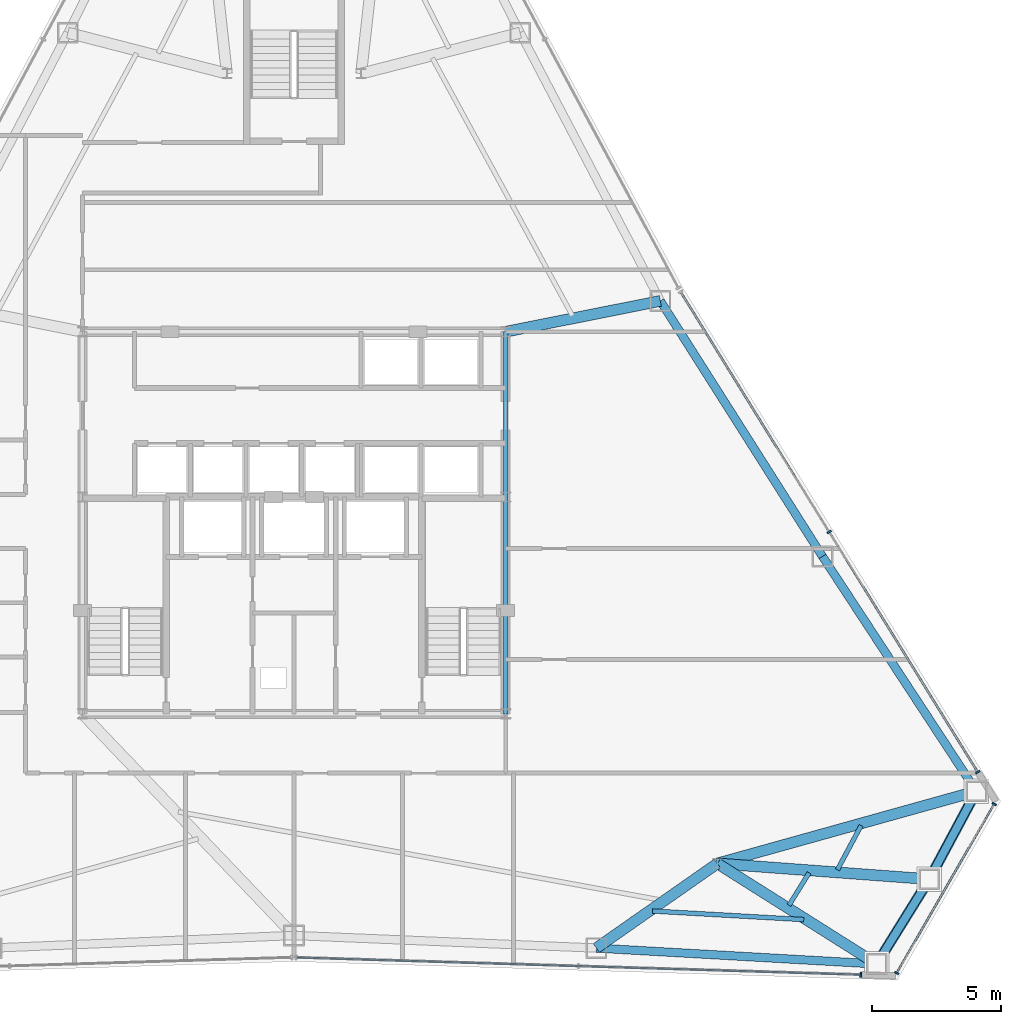
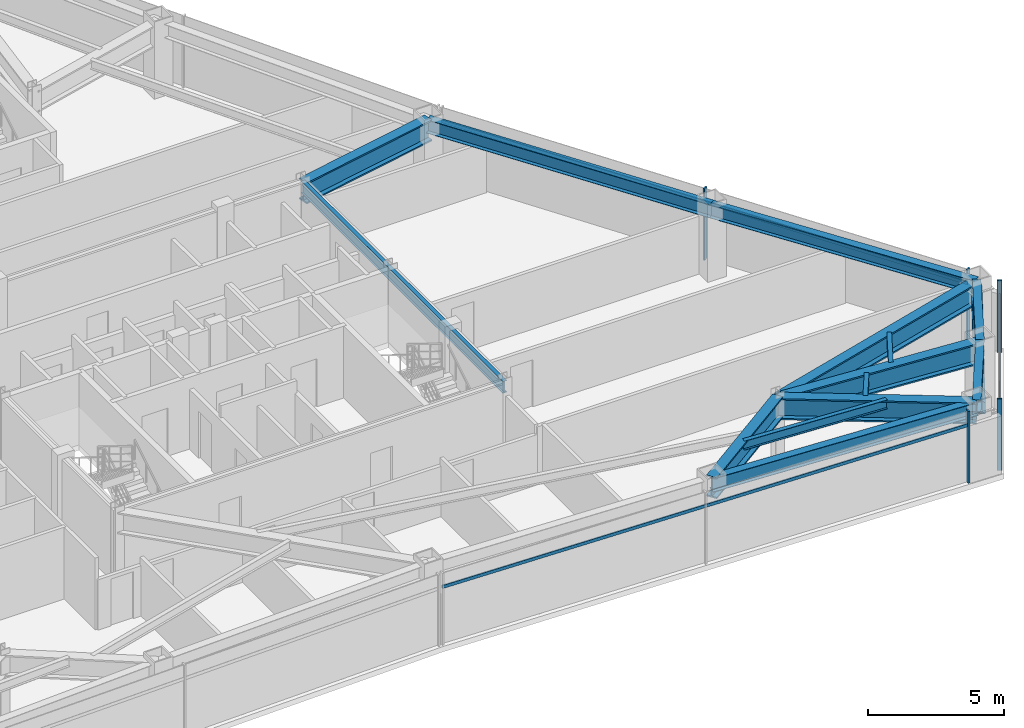
# One storey, part 7 of 13: 14 beams, 10 members, 3 elements without a shape of their own.
"""IFC4 building model written with IfcOpenShell, lengths in metres."""

from ifc_helpers import new_model, si_unit, direction, frame, origin, origin_2d, place, context, subcontext, project, spatial, rectangle, hollow_rectangle, i_section, extrude, source, transform, mapped, material, layer, layer_set, material_profile, profile_set, type_object, type_shapes, element, aggregate, save


model = new_model("IFC4")

# Units and contexts
model_context = context("Model", 3, precision=1e-05, world=origin(), true_north=direction((0.0, 1.0)))
body_context = subcontext(model_context, "Body", "Model", "MODEL_VIEW")
ifc_project = project(units=[si_unit("LENGTHUNIT", "METRE"), si_unit("AREAUNIT", "SQUARE_METRE"), si_unit("VOLUMEUNIT", "CUBIC_METRE"), si_unit("PLANEANGLEUNIT", "RADIAN"), si_unit("MASSUNIT", "GRAM", prefix="KILO")], contexts=[model_context])

# Site, building, storey
site_placement = place(None, origin())
site = spatial("IfcSite", under=ifc_project, at=site_placement, CompositionType="ELEMENT")
building_placement = place(site_placement, origin())
building = spatial("IfcBuilding", under=site, at=building_placement, Name="Varakhsha Concourse Tower", CompositionType="ELEMENT")
storey_placement = place(building_placement, frame((0.0, 0.0, 165.449951171875)))
storey = spatial("IfcBuildingStorey", under=building, at=storey_placement, Name="L47", CompositionType="ELEMENT", Elevation=165.449951171875)

# Beams
ifc_material_1 = material(Name="Structural Steel ASTM A992 Grade 50", Category="steel")
ifc_material_profile_1 = material_profile(ifc_material_1, i_section(OverallWidth=0.177978515625, OverallDepth=0.406982421875, WebThickness=0.008056640625, FlangeThickness=0.012939453125, at=origin_2d()), Name="W16X40")
ifc_profile_set_1 = profile_set([ifc_material_profile_1], Name="Structural Steel ASTM A992 Grade 50")
beam_type_1 = type_object("IfcBeamType", Name="BM-JST-W16X40", PredefinedType="JOIST", material=ifc_profile_set_1)
beam_1_placement = place(storey_placement, frame((53.885498046875, 8.758544921875, 3.006591796875), z_axis=(0.998392580352, -0.056676763308, 0.0), x_axis=(0.056676763308, 0.998392580352, 0.0)))
element("IfcBeam", 1, at=beam_1_placement, inside=storey, type_object=beam_type_1, Name="BM-TJST-L47-12", PredefinedType="JOIST", context=body_context, shape_type="SweptSolid", body=[
    extrude(i_section(OverallWidth=0.177978515625, OverallDepth=0.406982421875, WebThickness=0.008056640625, FlangeThickness=0.012939453125, at=origin_2d()), origin(), (0.0, 0.0, 1.0), 5.871337890625),
])
beam_2_placement = place(storey_placement, frame((59.17431640625, 8.980224609375, 3.006591796875), z_axis=(0.527194551397, 0.84974461162, 0.0), x_axis=(-0.84974461162, 0.527194551397, 0.0)))
element("IfcBeam", 2, at=beam_2_placement, inside=storey, type_object=beam_type_1, Name="BM-TJST-L47-13", PredefinedType="JOIST", context=body_context, shape_type="SweptSolid", body=[
    extrude(i_section(OverallWidth=0.177978515625, OverallDepth=0.406982421875, WebThickness=0.008056640625, FlangeThickness=0.012939453125, at=origin_2d()), origin(), (0.0, 0.0, 1.0), 1.48046875),
])
beam_3_placement = place(storey_placement, frame((61.05029296875, 10.355712890625, 3.006591796875), z_axis=(0.47219702385, 0.881493034951, 0.0), x_axis=(-0.881493034951, 0.47219702385, 0.0)))
element("IfcBeam", 3, at=beam_3_placement, inside=storey, type_object=beam_type_1, Name="BM-TJST-L47-14", PredefinedType="JOIST", context=body_context, shape_type="SweptSolid", body=[
    extrude(i_section(OverallWidth=0.177978515625, OverallDepth=0.406982421875, WebThickness=0.008056640625, FlangeThickness=0.012939453125, at=origin_2d()), origin(), (0.0, 0.0, 1.0), 1.944580078125),
])
ifc_material_profile_2 = material_profile(ifc_material_1, i_section(OverallWidth=0.423095703125, OverallDepth=0.947998046875, WebThickness=0.0380859375, FlangeThickness=0.06396484375, at=origin_2d()), Name="W36X302")
ifc_profile_set_2 = profile_set([ifc_material_profile_2], Name="Structural Steel ASTM A992 Grade 50")
beam_type_2 = type_object("IfcBeamType", Name="BM-OUTR-W36X302", PredefinedType="USERDEFINED", material=ifc_profile_set_2)
beam_4_placement = place(storey_placement, frame((56.39990234375, 10.60009765625, 2.736083984375), z_axis=(-0.81951662418, -0.573055409792, 0.0), x_axis=(0.573055409792, -0.81951662418, 0.0)))
element("IfcBeam", 4, at=beam_4_placement, inside=storey, type_object=beam_type_2, Name="L47 Radial Floor Girder 12", ObjectType="GIRDER", PredefinedType="USERDEFINED", context=body_context, shape_type="SweptSolid", body=[
    extrude(i_section(OverallWidth=0.423095703125, OverallDepth=0.947998046875, WebThickness=0.0380859375, FlangeThickness=0.06396484375, at=origin_2d()), origin(), (0.0, 0.0, 1.0), 5.71875),
])
beam_5_placement = place(storey_placement, frame((56.39990234375, 10.60009765625, 2.736083984375), z_axis=(0.845822577747, -0.533464307123, 0.0), x_axis=(0.533464307123, 0.845822577747, 0.0)))
element("IfcBeam", 5, at=beam_5_placement, inside=storey, type_object=beam_type_2, Name="L47 Radial Floor Girder 13", ObjectType="GIRDER", PredefinedType="USERDEFINED", context=body_context, shape_type="SweptSolid", body=[
    extrude(i_section(OverallWidth=0.423095703125, OverallDepth=0.947998046875, WebThickness=0.0380859375, FlangeThickness=0.06396484375, at=origin_2d()), origin(), (0.0, 0.0, 1.0), 7.298583984375),
])
beam_6_placement = place(storey_placement, frame((56.39990234375, 10.60009765625, 2.736083984375), z_axis=(0.99725755111, -0.074009301804, 0.0), x_axis=(0.074009301804, 0.99725755111, 0.0)))
element("IfcBeam", 6, at=beam_6_placement, inside=storey, type_object=beam_type_2, Name="L47 Radial Floor Girder 14", ObjectType="GIRDER", PredefinedType="USERDEFINED", context=body_context, shape_type="SweptSolid", body=[
    extrude(i_section(OverallWidth=0.423095703125, OverallDepth=0.947998046875, WebThickness=0.0380859375, FlangeThickness=0.06396484375, at=origin_2d()), origin(), (0.0, 0.0, 1.0), 8.233642578125),
])
beam_7_placement = place(storey_placement, frame((56.39990234375, 10.60009765625, 2.736083984375), z_axis=(0.963276818964, 0.268510279221, 0.0), x_axis=(-0.268510279221, 0.963276818964, 0.0)))
element("IfcBeam", 7, at=beam_7_placement, inside=storey, type_object=beam_type_2, Name="L47 Radial Floor Girder 15", ObjectType="GIRDER", PredefinedType="USERDEFINED", context=body_context, shape_type="SweptSolid", body=[
    extrude(i_section(OverallWidth=0.423095703125, OverallDepth=0.947998046875, WebThickness=0.0380859375, FlangeThickness=0.06396484375, at=origin_2d()), origin(), (0.0, 0.0, 1.0), 10.4189453125),
])
beam_8_placement = place(storey_placement, frame((48.199951171875, 31.199951171875, 2.736083984375), z_axis=(0.980724872564, 0.195393767391, 0.0), x_axis=(-0.195393767391, 0.980724872564, 0.0)))
element("IfcBeam", 8, at=beam_8_placement, inside=storey, type_object=beam_type_2, Name="L47 Radial Floor Girder 17", ObjectType="GIRDER", PredefinedType="USERDEFINED", context=body_context, shape_type="SweptSolid", body=[
    extrude(i_section(OverallWidth=0.423095703125, OverallDepth=0.947998046875, WebThickness=0.0380859375, FlangeThickness=0.06396484375, at=origin_2d()), origin(), (0.0, 0.0, 1.0), 6.10986328125),
])
ifc_material_profile_3 = material_profile(ifc_material_1, i_section(OverallWidth=0.1669921875, OverallDepth=0.534912109375, WebThickness=0.010009765625, FlangeThickness=0.01708984375, at=origin_2d()), Name="W21X57")
ifc_profile_set_3 = profile_set([ifc_material_profile_3], Name="Structural Steel ASTM A992 Grade 50")
beam_type_3 = type_object("IfcBeamType", Name="BM-RAD-W21X57", PredefinedType="BEAM", material=ifc_profile_set_3)
beam_9_placement = place(storey_placement, frame((48.199951171875, 16.39990234375, 2.942626953125), z_axis=(0.0, 1.0, 0.0), x_axis=(-1.0, 0.0, 0.0)))
element("IfcBeam", 9, at=beam_9_placement, inside=storey, type_object=beam_type_3, Name="BM-TCORE-L47-CE", PredefinedType="BEAM", context=body_context, shape_type="SweptSolid", body=[
    extrude(i_section(OverallWidth=0.1669921875, OverallDepth=0.534912109375, WebThickness=0.010009765625, FlangeThickness=0.01708984375, at=origin_2d()), origin(), (0.0, 0.0, 1.0), 14.800048828125),
])
ifc_material_profile_4 = material_profile(ifc_material_1, i_section(OverallWidth=0.323974609375, OverallDepth=0.611083984375, WebThickness=0.012939453125, FlangeThickness=0.01904296875, at=origin_2d()), Name="W24X104")
ifc_profile_set_4 = profile_set([ifc_material_profile_4], Name="Structural Steel ASTM A992 Grade 50")
beam_type_4 = type_object("IfcBeamType", Name="BM-SPAN-W24X104", PredefinedType="SPANDREL", material=ifc_profile_set_4)
beam_10_placement = place(storey_placement, frame((51.71337890625, 7.322998046875, 2.904541015625), z_axis=(0.998392776911, -0.056673300699, 0.0), x_axis=(0.056673300699, 0.998392776911, 0.0)))
element("IfcBeam", 10, at=beam_10_placement, inside=storey, type_object=beam_type_4, Name="BM-SPAN-L47-12", PredefinedType="SPANDREL", context=body_context, shape_type="SweptSolid", body=[
    extrude(i_section(OverallWidth=0.323974609375, OverallDepth=0.611083984375, WebThickness=0.012939453125, FlangeThickness=0.01904296875, at=origin_2d()), origin(), (0.0, 0.0, 1.0), 10.87744140625),
])
for number, where, z_axis, x_axis, name in (
    (11, (62.5732421875, 6.70654296875, 2.904541015625), (0.52724807345, 0.849711403385, 0.0), (-0.849711403385, 0.52724807345, 0.0), "BM-SPAN-L47-13"),
    (12, (64.611083984375, 9.99072265625, 2.904541015625), (0.472226671097, 0.881477152911, 0.0), (-0.881477152911, 0.472226671097, 0.0), "BM-SPAN-L47-14"),
):
    element("IfcBeam", number, at=place(storey_placement, frame(where, z_axis=z_axis, x_axis=x_axis)), inside=storey, type_object=beam_type_4, Name=name, PredefinedType="SPANDREL", context=body_context, shape_type="SweptSolid", body=[
        extrude(i_section(OverallWidth=0.323974609375, OverallDepth=0.611083984375, WebThickness=0.012939453125, FlangeThickness=0.01904296875, at=origin_2d()), origin(), (0.0, 0.0, 1.0), 3.864990234375),
    ])
beam_11_placement = place(storey_placement, frame((66.436279296875, 13.397705078125, 2.904541015625), z_axis=(-0.548266128306, 0.836303923555, 0.0), x_axis=(-0.836303923555, -0.548266128306, 0.0)))
element("IfcBeam", 13, at=beam_11_placement, inside=storey, type_object=beam_type_4, Name="BM-SPAN-L47-15", PredefinedType="SPANDREL", context=body_context, shape_type="SweptSolid", body=[
    extrude(i_section(OverallWidth=0.323974609375, OverallDepth=0.611083984375, WebThickness=0.012939453125, FlangeThickness=0.01904296875, at=origin_2d()), origin(), (0.0, 0.0, 1.0), 10.877197265625),
])
beam_12_placement = place(storey_placement, frame((60.47265625, 22.494384765625, 2.904541015625), z_axis=(-0.535714805069, 0.844398986043, 0.0), x_axis=(-0.844398986043, -0.535714805069, 0.0)))
element("IfcBeam", 14, at=beam_12_placement, inside=storey, type_object=beam_type_4, Name="BM-SPAN-L47-16", PredefinedType="SPANDREL", context=body_context, shape_type="SweptSolid", body=[
    extrude(i_section(OverallWidth=0.323974609375, OverallDepth=0.611083984375, WebThickness=0.012939453125, FlangeThickness=0.01904296875, at=origin_2d()), origin(), (0.0, 0.0, 1.0), 11.7236328125),
])

# Members
ifc_material_2 = material(Name="Structural Steel ASTM A500 Grade C", Category="steel")
ifc_material_profile_5 = material_profile(ifc_material_2, hollow_rectangle(XDim=0.39990234375, YDim=0.39990234375, WallThickness=0.01611328125, at=origin_2d()), Name="HSS 400x400x16")
ifc_profile_set_5 = profile_set([ifc_material_profile_5], Name="Structural Steel ASTM A500 Grade C")
member_type_1 = type_object("IfcMemberType", Name="MB-TUBE-HSS400", PredefinedType="BRACE", material=ifc_profile_set_5)
shared_shape_1 = source(origin(), body_context, "Body", "SweptSolid", [
    extrude(hollow_rectangle(XDim=0.39990234375, YDim=0.39990234375, WallThickness=0.01611328125, at=origin_2d()), origin(), (0.0, 0.0, 1.0), 4.766845703125),
])
type_shapes(member_type_1, [shared_shape_1])
for number, where, z_axis, x_axis, name in (
    (15, (64.611083984375, 9.99072265625, 0.1201171875), (-0.427501927129, -0.688960815112, 0.585299152178), (0.849711403385, -0.52724807345, 0.0), "L47 Wind-Corner Tube Brace B05"),
    (16, (64.611083984375, 9.99072265625, 0.1201171875), (0.382890632553, 0.71471893757, 0.585296167578), (-0.881477152911, 0.472226671097, 0.0), "L47 Wind-Corner Tube Brace B06"),
):
    element("IfcMember", number, at=place(storey_placement, frame(where, z_axis=z_axis, x_axis=x_axis)), inside=storey, type_object=member_type_1, Name=name, PredefinedType="BRACE", context=body_context, shape_type="MappedRepresentation", body=[
        mapped(shared_shape_1, transform((0.0, 0.0, 0.0), scale=1.0)),
    ])

# Curtain wall, member
ifc_material_3 = material(Name="Anodised Bronze Architectural Aluminium AA 6063-T6", Category="aluminium")
ifc_layer = layer(ifc_material_3, 0.2099609375, Name="CW-SYS-04")
ifc_layer_set = layer_set([ifc_layer], Name="Anodised Bronze Architectural Aluminium AA 6063-T6")
curtain_wall_type = type_object("IfcCurtainWallType", Name="CW-SYS-04", PredefinedType="NOTDEFINED", material=ifc_layer_set)
curtain_wall_1_placement = place(storey_placement, origin())
curtain_wall_1 = element("IfcCurtainWall", 17, at=curtain_wall_1_placement, inside=storey, type_object=curtain_wall_type, Name="L47 Crystal Curtain Wall F6", PredefinedType="NOTDEFINED")
ifc_material_profile_6 = material_profile(ifc_material_3, rectangle(XDim=0.06494140625, YDim=0.179931640625, at=origin_2d()), Name="CWM-180X65")
ifc_profile_set_6 = profile_set([ifc_material_profile_6], Name="Anodised Bronze Architectural Aluminium AA 6063-T6")
member_type_2 = type_object("IfcMemberType", Name="CWM-180X65", PredefinedType="MULLION", material=ifc_profile_set_6)
shared_shape_2 = source(origin(), body_context, "Body", "SweptSolid", [
    extrude(rectangle(XDim=0.06494140625, YDim=0.179931640625, at=origin_2d()), origin(), (0.0, 0.0, 1.0), 3.2099609375),
])
type_shapes(member_type_2, [shared_shape_2])
member_1_placement = place(storey_placement, frame((61.958740234375, 6.289794921875, 0.0), z_axis=(0.0, 0.0, 1.0), x_axis=(-0.999534017137, 0.030524557085, 0.0)))
member_1 = element("IfcMember", 18, at=member_1_placement, type_object=member_type_2, Name="CW-L47-F6 Mullion 00", PredefinedType="MULLION", context=body_context, shape_type="MappedRepresentation", body=[
    mapped(shared_shape_2, transform((0.0, 0.0, 0.0), scale=1.0)),
])

# Curtain wall, members
curtain_wall_2_placement = place(storey_placement, origin())
curtain_wall_2 = element("IfcCurtainWall", 19, at=curtain_wall_2_placement, inside=storey, type_object=curtain_wall_type, Name="L47 Chamfer Curtain Wall F7", PredefinedType="NOTDEFINED")
member_2_placement = place(storey_placement, frame((67.12451171875, 12.904296875, 0.0), z_axis=(0.0, 0.0, 1.0), x_axis=(-0.499990930976, -0.866030639725, 0.0)))
member_2 = element("IfcMember", 20, at=member_2_placement, type_object=member_type_2, Name="CW-L47-F7 Mullion 00", PredefinedType="MULLION", context=body_context, shape_type="MappedRepresentation", body=[
    mapped(shared_shape_2, transform((0.0, 0.0, 0.0), scale=1.0)),
])
member_3_placement = place(storey_placement, frame((63.344482421875, 6.357177734375, 0.0), z_axis=(0.0, 0.0, 1.0), x_axis=(-0.499990930976, -0.866030639725, 0.0)))
member_3 = element("IfcMember", 21, at=member_3_placement, type_object=member_type_2, Name="CW-L47-F7 Mullion 01", PredefinedType="MULLION", context=body_context, shape_type="MappedRepresentation", body=[
    mapped(shared_shape_2, transform((0.0, 0.0, 0.0), scale=1.0)),
])

curtain_wall_3_placement = place(storey_placement, origin())
curtain_wall_3 = element("IfcCurtainWall", 22, at=curtain_wall_3_placement, inside=storey, type_object=curtain_wall_type, Name="L47 Crystal Curtain Wall F8", PredefinedType="NOTDEFINED")
member_4_placement = place(storey_placement, frame((60.732421875, 23.44287109375, 0.0), z_axis=(0.0, 0.0, 1.0), x_axis=(0.526199082126, -0.850361409032, 0.0)))
member_4 = element("IfcMember", 23, at=member_4_placement, type_object=member_type_2, Name="CW-L47-F8 Mullion 01", PredefinedType="MULLION", context=body_context, shape_type="MappedRepresentation", body=[
    mapped(shared_shape_2, transform((0.0, 0.0, 0.0), scale=1.0)),
])
member_5_placement = place(storey_placement, frame((66.489990234375, 14.13818359375, 0.0), z_axis=(0.0, 0.0, 1.0), x_axis=(0.526199082126, -0.850361409032, 0.0)))
member_5 = element("IfcMember", 24, at=member_5_placement, type_object=member_type_2, Name="CW-L47-F8 Mullion 02", PredefinedType="MULLION", context=body_context, shape_type="MappedRepresentation", body=[
    mapped(shared_shape_2, transform((0.0, 0.0, 0.0), scale=1.0)),
])

# Member
ifc_material_profile_7 = material_profile(ifc_material_3, rectangle(XDim=0.06005859375, YDim=0.139892578125, at=origin_2d()), Name="CWT-140X60")
ifc_profile_set_7 = profile_set([ifc_material_profile_7], Name="Anodised Bronze Architectural Aluminium AA 6063-T6")
member_type_3 = type_object("IfcMemberType", Name="CWT-140X60", PredefinedType="USERDEFINED", material=ifc_profile_set_7)
shared_shape_3 = source(origin(), body_context, "Body", "SweptSolid", [
    extrude(rectangle(XDim=0.06005859375, YDim=0.139892578125, at=origin_2d()), origin(), (0.0, 0.0, 1.0), 21.88427734375),
])
member_6_placement = place(storey_placement, frame((61.958740234375, 6.289794921875, 2.56005859375), z_axis=(-0.999534069287, 0.030522849386, 0.0), x_axis=(-0.030522849386, -0.999534069287, 0.0)))
member_6 = element("IfcMember", 25, at=member_6_placement, type_object=member_type_3, Name="CW-L47-F6 Transom 01", ObjectType="TRANSOM", PredefinedType="USERDEFINED", context=body_context, shape_type="MappedRepresentation", body=[
    mapped(shared_shape_3, transform((0.0, 0.0, 0.0), scale=1.0)),
])

aggregate(curtain_wall_1, [member_1, member_6])

shared_shape_4 = source(origin(), body_context, "Body", "SweptSolid", [
    extrude(rectangle(XDim=0.06005859375, YDim=0.139892578125, at=origin_2d()), origin(), (0.0, 0.0, 1.0), 21.884033203125),
])
member_7_placement = place(storey_placement, frame((54.974609375, 32.74755859375, 2.56005859375), z_axis=(0.526199060722, -0.850361422276, 0.0), x_axis=(0.850361422276, 0.526199060722, 0.0)))
member_7 = element("IfcMember", 26, at=member_7_placement, type_object=member_type_3, Name="CW-L47-F8 Transom 01", ObjectType="TRANSOM", PredefinedType="USERDEFINED", context=body_context, shape_type="MappedRepresentation", body=[
    mapped(shared_shape_4, transform((0.0, 0.0, 0.0), scale=1.0)),
])

aggregate(curtain_wall_3, [member_4, member_5, member_7])

shared_shape_5 = source(origin(), body_context, "Body", "SweptSolid", [
    extrude(rectangle(XDim=0.06005859375, YDim=0.139892578125, at=origin_2d()), origin(), (0.0, 0.0, 1.0), 7.56005859375),
])
type_shapes(member_type_3, [shared_shape_3, shared_shape_4, shared_shape_5])
member_8_placement = place(storey_placement, frame((67.12451171875, 12.904296875, 2.56005859375), z_axis=(-0.500004791531, -0.866022637375, 0.0), x_axis=(0.866022637375, -0.500004791531, 0.0)))
member_8 = element("IfcMember", 27, at=member_8_placement, type_object=member_type_3, Name="CW-L47-F7 Transom 01", ObjectType="TRANSOM", PredefinedType="USERDEFINED", context=body_context, shape_type="MappedRepresentation", body=[
    mapped(shared_shape_5, transform((0.0, 0.0, 0.0), scale=1.0)),
])

aggregate(curtain_wall_2, [member_2, member_3, member_8])

save(model, "model.ifc")
